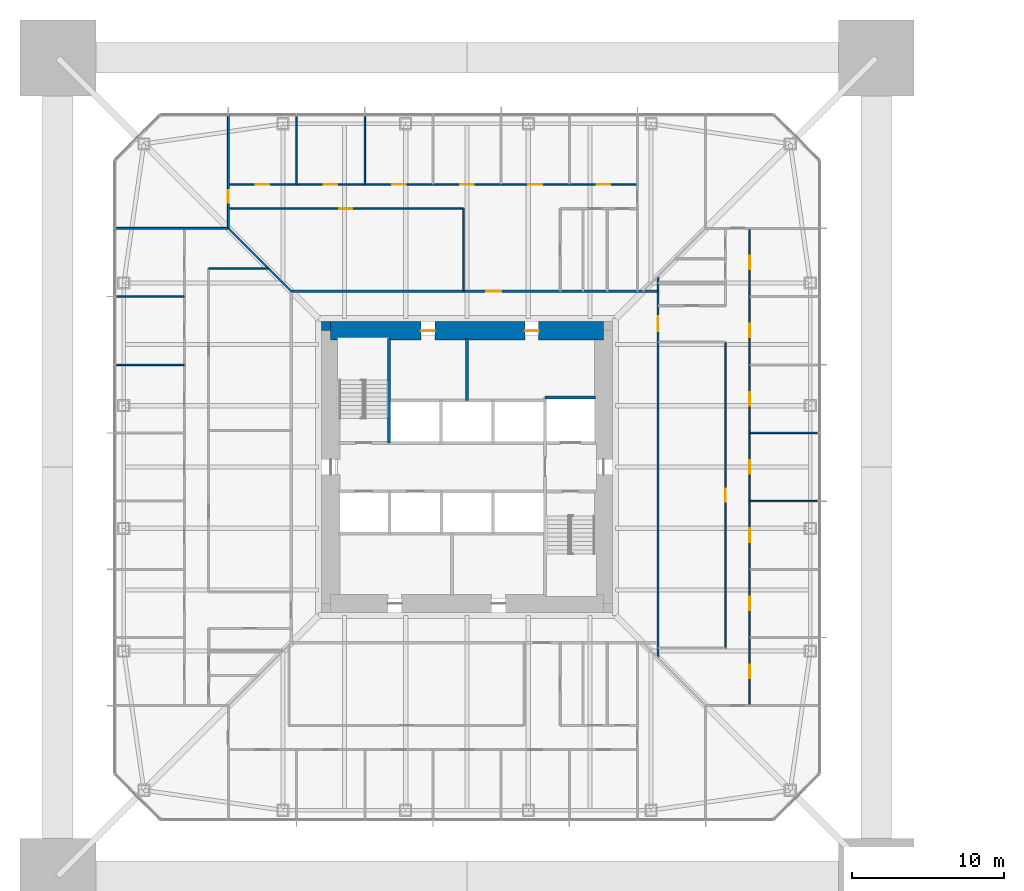
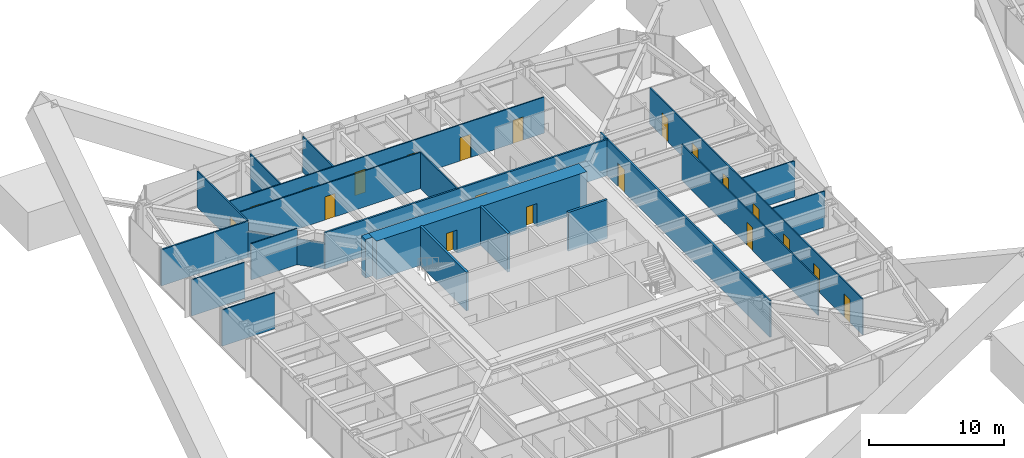
# One storey, part 17 of 27: 22 walls, 20 doors, 20 openings.
"""IFC4 building model written with IfcOpenShell, lengths in metres."""

from ifc_helpers import new_model, si_unit, direction, frame, frame_2d, origin, place, context, subcontext, project, spatial, rectangle, extrude, material, layer, layer_set, type_object, element, fill, save


model = new_model("IFC4")

# Units and contexts
model_context = context("Model", 3, precision=1e-05, world=origin(), true_north=direction((0.0, 1.0)))
body_context = subcontext(model_context, "Body", "Model", "MODEL_VIEW")
ifc_project = project(units=[si_unit("LENGTHUNIT", "METRE"), si_unit("AREAUNIT", "SQUARE_METRE"), si_unit("VOLUMEUNIT", "CUBIC_METRE"), si_unit("PLANEANGLEUNIT", "RADIAN"), si_unit("MASSUNIT", "GRAM", prefix="KILO")], contexts=[model_context])

# Site, building, storey
site_placement = place(None, origin())
site = spatial("IfcSite", under=ifc_project, at=site_placement, CompositionType="ELEMENT")
building_placement = place(site_placement, origin())
building = spatial("IfcBuilding", under=site, at=building_placement, Name="Iwan Alto Co-Living Towers", CompositionType="ELEMENT")
storey_placement = place(building_placement, frame((0.0, 0.0, 25.5)))
storey = spatial("IfcBuildingStorey", under=building, at=storey_placement, Name="L06", CompositionType="ELEMENT", Elevation=25.5)

# Wall, opening, door
ifc_material_1 = material(Name="Gypsum board")
ifc_layer_1 = layer(ifc_material_1, 0.02490234375, Name="Board", Category="Finish")
ifc_material_2 = material(Name="Steel ASTM A1003 ST33H cold-formed studs", Category="steel")
ifc_layer_2 = layer(ifc_material_2, 0.10009765625, Name="Studs", Category="Framing")
ifc_layer_3 = layer(ifc_material_1, 0.02490234375, Name="Board", Category="Finish")
ifc_layer_set_1 = layer_set([ifc_layer_1, ifc_layer_2, ifc_layer_3], Name="CORRIDOR WALL 150")
wall_type_1 = type_object("IfcWallType", Name="CORRIDOR WALL 150", PredefinedType="PARTITIONING", material=ifc_layer_set_1)
wall_1_placement = place(storey_placement, frame((-11.60009765625, 11.60009765625, 0.0), z_axis=(0.0, 0.0, 1.0), x_axis=(1.0, 0.0, 0.0)))
wall_1 = element("IfcWall", 1, at=wall_1_placement, inside=storey, type_object=wall_type_1, Name="Partition L06", PredefinedType="PARTITIONING", context=body_context, shape_type="SweptSolid", body=[
    extrude(rectangle(XDim=24.2001953125, YDim=0.14990234375, at=frame_2d((12.10009765625, 0.0))), origin(), (0.0, 0.0, 1.0), 3.27001953125),
])
opening_1_placement = place(wall_1_placement, frame((12.85498046875, 0.0, 0.0)))
opening_1 = element("IfcOpeningElement", 2, at=opening_1_placement, cuts=wall_1, Name="Opening D3", PredefinedType="OPENING", context=body_context, shape_type="SweptSolid", body=[
    extrude(rectangle(XDim=1.0, YDim=2.10009765625, at=frame_2d((0.5, 1.050048828125))), frame((0.0, 0.0849609375, 0.0), z_axis=(0.0, -1.0, 0.0), x_axis=(1.0, 0.0, 0.0)), (0.0, 0.0, 1.0), 0.169921875),
])
ifc_material_3 = material(Name="Steel frame with timber leaf", Category="steel")
door_type_1 = type_object("IfcDoorType", Name="FLAT ENTRANCE DOOR FD30S 1000X2100", OperationType="SINGLE_SWING_LEFT", PredefinedType="DOOR", material=ifc_material_3)
door_1_placement = place(opening_1_placement, origin())
door_1 = element("IfcDoor", 3, at=door_1_placement, inside=storey, type_object=door_type_1, Name="Cluster lounge and shared kitchen door L06", OperationType="SINGLE_SWING_LEFT", OverallHeight=2.10009765625, OverallWidth=1.0, PredefinedType="DOOR", context=body_context, shape_type="SweptSolid", body=[
    extrude(rectangle(XDim=1.0, YDim=2.10009765625, at=frame_2d((0.5, 1.050048828125))), frame((0.0, 0.02490234375, 0.0), z_axis=(0.0, -1.0, 0.0), x_axis=(1.0, 0.0, 0.0)), (0.0, 0.0, 1.0), 0.050048828125),
])
fill(opening_1, door_1)

wall_2_placement = place(storey_placement, frame((12.60009765625, -12.60009765625, 0.0), z_axis=(0.0, 0.0, 1.0), x_axis=(0.0, 1.0, 0.0)))
wall_2 = element("IfcWall", 4, at=wall_2_placement, inside=storey, type_object=wall_type_1, Name="Partition L06", PredefinedType="PARTITIONING", context=body_context, shape_type="SweptSolid", body=[
    extrude(rectangle(XDim=25.2001953125, YDim=0.14990234375, at=frame_2d((12.60009765625, 0.0))), origin(), (0.0, 0.0, 1.0), 3.27001953125),
])
opening_2_placement = place(wall_2_placement, frame((21.550048828125, 0.0, 0.0)))
opening_2 = element("IfcOpeningElement", 5, at=opening_2_placement, cuts=wall_2, Name="Opening D3", PredefinedType="OPENING", context=body_context, shape_type="SweptSolid", body=[
    extrude(rectangle(XDim=1.0, YDim=2.10009765625, at=frame_2d((0.5, 1.050048828125))), frame((0.0, 0.0849609375, 0.0), z_axis=(0.0, -1.0, 0.0), x_axis=(1.0, 0.0, 0.0)), (0.0, 0.0, 1.0), 0.169921875),
])
door_2_placement = place(opening_2_placement, frame((1.0, 0.0, 0.0), z_axis=(0.0, 0.0, 1.0), x_axis=(-1.0, 0.0, 0.0)))
door_2 = element("IfcDoor", 6, at=door_2_placement, inside=storey, type_object=door_type_1, Name="Cluster lounge door L06", OperationType="SINGLE_SWING_RIGHT", OverallHeight=2.10009765625, OverallWidth=1.0, PredefinedType="DOOR", context=body_context, shape_type="SweptSolid", body=[
    extrude(rectangle(XDim=1.0, YDim=2.10009765625, at=frame_2d((0.5, 1.050048828125))), frame((0.0, 0.02490234375, 0.0), z_axis=(0.0, -1.0, 0.0), x_axis=(1.0, 0.0, 0.0)), (0.0, 0.0, 1.0), 0.050048828125),
])
fill(opening_2, door_2)

# Walls
ifc_layer_4 = layer(ifc_material_1, 0.012451171875, Name="Board", Category="Finish")
ifc_layer_5 = layer(ifc_material_2, 0.074951171875, Name="Studs", Category="Framing")
ifc_layer_6 = layer(ifc_material_1, 0.012451171875, Name="Board", Category="Finish")
ifc_layer_set_2 = layer_set([ifc_layer_4, ifc_layer_5, ifc_layer_6], Name="PARTITION 100")
wall_type_2 = type_object("IfcWallType", Name="PARTITION 100", PredefinedType="PARTITIONING", material=ifc_layer_set_2)
for number, where, z_axis, x_axis, name in (
    (7, (18.64990234375, -2.25, 0.0), (0.0, 0.0, 1.0), (1.0, 0.0, 0.0), "Partition L06"),
    (8, (18.64990234375, 2.25, 0.0), (0.0, 0.0, 1.0), (1.0, 0.0, 0.0), "Partition L06"),
    (9, (-23.18994140625, 6.75, 0.0), (0.0, 0.0, 1.0), (1.0, 0.0, 0.0), "Partition L06"),
    (10, (-23.18994140625, 11.25, 0.0), (0.0, 0.0, 1.0), (1.0, 0.0, 0.0), "Partition L06"),
):
    element("IfcWall", number, at=place(storey_placement, frame(where, z_axis=z_axis, x_axis=x_axis)), inside=storey, type_object=wall_type_2, Name=name, PredefinedType="PARTITIONING", context=body_context, shape_type="SweptSolid", body=[
        extrude(rectangle(XDim=4.5400390625, YDim=0.10009765625, at=frame_2d((2.27001953125, 0.0))), origin(), (0.0, 0.0, 1.0), 3.27001953125),
    ])
wall_3_placement = place(storey_placement, frame((-17.050048828125, 13.090087890625, 0.0), z_axis=(0.0, 0.0, 1.0), x_axis=(1.0, 0.0, 0.0)))
element("IfcWall", 11, at=wall_3_placement, inside=storey, type_object=wall_type_2, Name="Partition L06", PredefinedType="PARTITIONING", context=body_context, shape_type="SweptSolid", body=[
    extrude(rectangle(XDim=3.9599609375, YDim=0.10009765625, at=frame_2d((1.97998046875, 0.0))), origin(), (0.0, 0.0, 1.0), 3.27001953125),
])

# Wall, opening, door
wall_4_placement = place(storey_placement, frame((-15.75, 17.050048828125, 0.0), z_axis=(0.0, 0.0, 1.0), x_axis=(1.0, 0.0, 0.0)))
wall_4 = element("IfcWall", 12, at=wall_4_placement, inside=storey, type_object=wall_type_2, Name="Partition L06", PredefinedType="PARTITIONING", context=body_context, shape_type="SweptSolid", body=[
    extrude(rectangle(XDim=15.510009765625, YDim=0.10009765625, at=frame_2d((7.7548828125, 0.0))), origin(), (0.0, 0.0, 1.0), 3.27001953125),
])
opening_3_placement = place(wall_4_placement, frame((7.330078125, 0.0, 0.0)))
opening_3 = element("IfcOpeningElement", 13, at=opening_3_placement, cuts=wall_4, Name="Opening D2", PredefinedType="OPENING", context=body_context, shape_type="SweptSolid", body=[
    extrude(rectangle(XDim=0.85009765625, YDim=2.10009765625, at=frame_2d((0.425048828125, 1.050048828125))), frame((0.0, 0.06005859375, 0.0), z_axis=(0.0, -1.0, 0.0), x_axis=(1.0, 0.0, 0.0)), (0.0, 0.0, 1.0), 0.1201171875),
])
ifc_material_4 = material(Name="Timber leaf in steel frame", Category="steel")
door_type_2 = type_object("IfcDoorType", Name="ROOM DOOR 850X2100", OperationType="SINGLE_SWING_LEFT", PredefinedType="DOOR", material=ifc_material_4)
door_3_placement = place(opening_3_placement, origin())
door_3 = element("IfcDoor", 14, at=door_3_placement, inside=storey, type_object=door_type_2, Name="Study lounge door L06", OperationType="SINGLE_SWING_LEFT", OverallHeight=2.10009765625, OverallWidth=0.85009765625, PredefinedType="DOOR", context=body_context, shape_type="SweptSolid", body=[
    extrude(rectangle(XDim=0.85009765625, YDim=2.10009765625, at=frame_2d((0.425048828125, 1.050048828125))), frame((0.0, 0.02490234375, 0.0), z_axis=(0.0, -1.0, 0.0), x_axis=(1.0, 0.0, 0.0)), (0.0, 0.0, 1.0), 0.050048828125),
])
fill(opening_3, door_3)

# Wall, openings, doors
wall_5_placement = place(storey_placement, frame((-15.75, 18.64990234375, 0.0), z_axis=(0.0, 0.0, 1.0), x_axis=(1.0, 0.0, 0.0)))
wall_5 = element("IfcWall", 15, at=wall_5_placement, inside=storey, type_object=wall_type_2, Name="Partition L06", PredefinedType="PARTITIONING", context=body_context, shape_type="SweptSolid", body=[
    extrude(rectangle(XDim=27.0, YDim=0.10009765625, at=frame_2d((13.5, 0.0))), origin(), (0.0, 0.0, 1.0), 3.27001953125),
])
opening_4_placement = place(wall_5_placement, frame((24.300048828125, 0.0, 0.0)))
opening_4 = element("IfcOpeningElement", 16, at=opening_4_placement, cuts=wall_5, Name="Opening D1", PredefinedType="OPENING", context=body_context, shape_type="SweptSolid", body=[
    extrude(rectangle(XDim=0.89990234375, YDim=2.10009765625, at=frame_2d((0.449951171875, 1.050048828125))), frame((0.0, 0.06005859375, 0.0), z_axis=(0.0, -1.0, 0.0), x_axis=(1.0, 0.0, 0.0)), (0.0, 0.0, 1.0), 0.1201171875),
])
opening_5_placement = place(wall_5_placement, frame((19.800048828125, 0.0, 0.0)))
opening_5 = element("IfcOpeningElement", 17, at=opening_5_placement, cuts=wall_5, Name="Opening D1", PredefinedType="OPENING", context=body_context, shape_type="SweptSolid", body=[
    extrude(rectangle(XDim=0.89990234375, YDim=2.10009765625, at=frame_2d((0.449951171875, 1.050048828125))), frame((0.0, 0.06005859375, 0.0), z_axis=(0.0, -1.0, 0.0), x_axis=(1.0, 0.0, 0.0)), (0.0, 0.0, 1.0), 0.1201171875),
])
opening_6_placement = place(wall_5_placement, frame((15.300048828125, 0.0, 0.0)))
opening_6 = element("IfcOpeningElement", 18, at=opening_6_placement, cuts=wall_5, Name="Opening D1", PredefinedType="OPENING", context=body_context, shape_type="SweptSolid", body=[
    extrude(rectangle(XDim=0.89990234375, YDim=2.10009765625, at=frame_2d((0.449951171875, 1.050048828125))), frame((0.0, 0.06005859375, 0.0), z_axis=(0.0, -1.0, 0.0), x_axis=(1.0, 0.0, 0.0)), (0.0, 0.0, 1.0), 0.1201171875),
])
opening_7_placement = place(wall_5_placement, frame((10.800048828125, 0.0, 0.0)))
opening_7 = element("IfcOpeningElement", 19, at=opening_7_placement, cuts=wall_5, Name="Opening D1", PredefinedType="OPENING", context=body_context, shape_type="SweptSolid", body=[
    extrude(rectangle(XDim=0.89990234375, YDim=2.10009765625, at=frame_2d((0.449951171875, 1.050048828125))), frame((0.0, 0.06005859375, 0.0), z_axis=(0.0, -1.0, 0.0), x_axis=(1.0, 0.0, 0.0)), (0.0, 0.0, 1.0), 0.1201171875),
])
opening_8_placement = place(wall_5_placement, frame((6.300048828125, 0.0, 0.0)))
opening_8 = element("IfcOpeningElement", 20, at=opening_8_placement, cuts=wall_5, Name="Opening D1", PredefinedType="OPENING", context=body_context, shape_type="SweptSolid", body=[
    extrude(rectangle(XDim=0.89990234375, YDim=2.10009765625, at=frame_2d((0.449951171875, 1.050048828125))), frame((0.0, 0.06005859375, 0.0), z_axis=(0.0, -1.0, 0.0), x_axis=(1.0, 0.0, 0.0)), (0.0, 0.0, 1.0), 0.1201171875),
])
opening_9_placement = place(wall_5_placement, frame((1.800048828125, 0.0, 0.0)))
opening_9 = element("IfcOpeningElement", 21, at=opening_9_placement, cuts=wall_5, Name="Opening D1", PredefinedType="OPENING", context=body_context, shape_type="SweptSolid", body=[
    extrude(rectangle(XDim=0.89990234375, YDim=2.10009765625, at=frame_2d((0.449951171875, 1.050048828125))), frame((0.0, 0.06005859375, 0.0), z_axis=(0.0, -1.0, 0.0), x_axis=(1.0, 0.0, 0.0)), (0.0, 0.0, 1.0), 0.1201171875),
])
ifc_material_5 = material(Name="Timber leaf in steel frame", Category="steel")
door_type_3 = type_object("IfcDoorType", Name="BEDROOM DOOR 900X2100", OperationType="SINGLE_SWING_LEFT", PredefinedType="DOOR", material=ifc_material_5)
door_4_placement = place(opening_4_placement, frame((0.89990234375, 0.0, 0.0), z_axis=(0.0, 0.0, 1.0), x_axis=(-1.0, 0.0, 0.0)))
door_4 = element("IfcDoor", 22, at=door_4_placement, inside=storey, type_object=door_type_3, Name="Study bedroom door L06", OperationType="SINGLE_SWING_LEFT", OverallHeight=2.10009765625, OverallWidth=0.89990234375, PredefinedType="DOOR", context=body_context, shape_type="SweptSolid", body=[
    extrude(rectangle(XDim=0.89990234375, YDim=2.10009765625, at=frame_2d((0.449951171875, 1.050048828125))), frame((0.0, 0.02490234375, 0.0), z_axis=(0.0, -1.0, 0.0), x_axis=(1.0, 0.0, 0.0)), (0.0, 0.0, 1.0), 0.050048828125),
])
fill(opening_4, door_4)
door_5_placement = place(opening_5_placement, frame((0.89990234375, 0.0, 0.0), z_axis=(0.0, 0.0, 1.0), x_axis=(-1.0, 0.0, 0.0)))
door_5 = element("IfcDoor", 23, at=door_5_placement, inside=storey, type_object=door_type_3, Name="Study bedroom door L06", OperationType="SINGLE_SWING_LEFT", OverallHeight=2.10009765625, OverallWidth=0.89990234375, PredefinedType="DOOR", context=body_context, shape_type="SweptSolid", body=[
    extrude(rectangle(XDim=0.89990234375, YDim=2.10009765625, at=frame_2d((0.449951171875, 1.050048828125))), frame((0.0, 0.02490234375, 0.0), z_axis=(0.0, -1.0, 0.0), x_axis=(1.0, 0.0, 0.0)), (0.0, 0.0, 1.0), 0.050048828125),
])
fill(opening_5, door_5)
door_6_placement = place(opening_6_placement, frame((0.89990234375, 0.0, 0.0), z_axis=(0.0, 0.0, 1.0), x_axis=(-1.0, 0.0, 0.0)))
door_6 = element("IfcDoor", 24, at=door_6_placement, inside=storey, type_object=door_type_3, Name="Study bedroom door L06", OperationType="SINGLE_SWING_LEFT", OverallHeight=2.10009765625, OverallWidth=0.89990234375, PredefinedType="DOOR", context=body_context, shape_type="SweptSolid", body=[
    extrude(rectangle(XDim=0.89990234375, YDim=2.10009765625, at=frame_2d((0.449951171875, 1.050048828125))), frame((0.0, 0.02490234375, 0.0), z_axis=(0.0, -1.0, 0.0), x_axis=(1.0, 0.0, 0.0)), (0.0, 0.0, 1.0), 0.050048828125),
])
fill(opening_6, door_6)
door_7_placement = place(opening_7_placement, frame((0.89990234375, 0.0, 0.0), z_axis=(0.0, 0.0, 1.0), x_axis=(-1.0, 0.0, 0.0)))
door_7 = element("IfcDoor", 25, at=door_7_placement, inside=storey, type_object=door_type_3, Name="Study bedroom door L06", OperationType="SINGLE_SWING_RIGHT", OverallHeight=2.10009765625, OverallWidth=0.89990234375, PredefinedType="DOOR", context=body_context, shape_type="SweptSolid", body=[
    extrude(rectangle(XDim=0.89990234375, YDim=2.10009765625, at=frame_2d((0.449951171875, 1.050048828125))), frame((0.0, 0.02490234375, 0.0), z_axis=(0.0, -1.0, 0.0), x_axis=(1.0, 0.0, 0.0)), (0.0, 0.0, 1.0), 0.050048828125),
])
fill(opening_7, door_7)
door_8_placement = place(opening_8_placement, frame((0.89990234375, 0.0, 0.0), z_axis=(0.0, 0.0, 1.0), x_axis=(-1.0, 0.0, 0.0)))
door_8 = element("IfcDoor", 26, at=door_8_placement, inside=storey, type_object=door_type_3, Name="Study bedroom door L06", OperationType="SINGLE_SWING_RIGHT", OverallHeight=2.10009765625, OverallWidth=0.89990234375, PredefinedType="DOOR", context=body_context, shape_type="SweptSolid", body=[
    extrude(rectangle(XDim=0.89990234375, YDim=2.10009765625, at=frame_2d((0.449951171875, 1.050048828125))), frame((0.0, 0.02490234375, 0.0), z_axis=(0.0, -1.0, 0.0), x_axis=(1.0, 0.0, 0.0)), (0.0, 0.0, 1.0), 0.050048828125),
])
fill(opening_8, door_8)
door_9_placement = place(opening_9_placement, frame((0.89990234375, 0.0, 0.0), z_axis=(0.0, 0.0, 1.0), x_axis=(-1.0, 0.0, 0.0)))
door_9 = element("IfcDoor", 27, at=door_9_placement, inside=storey, type_object=door_type_3, Name="Study bedroom door L06", OperationType="SINGLE_SWING_RIGHT", OverallHeight=2.10009765625, OverallWidth=0.89990234375, PredefinedType="DOOR", context=body_context, shape_type="SweptSolid", body=[
    extrude(rectangle(XDim=0.89990234375, YDim=2.10009765625, at=frame_2d((0.449951171875, 1.050048828125))), frame((0.0, 0.02490234375, 0.0), z_axis=(0.0, -1.0, 0.0), x_axis=(1.0, 0.0, 0.0)), (0.0, 0.0, 1.0), 0.050048828125),
])
fill(opening_9, door_9)

wall_6_placement = place(storey_placement, frame((18.64990234375, -15.75, 0.0), z_axis=(0.0, 0.0, 1.0), x_axis=(0.0, 1.0, 0.0)))
wall_6 = element("IfcWall", 28, at=wall_6_placement, inside=storey, type_object=wall_type_2, Name="Partition L06", PredefinedType="PARTITIONING", context=body_context, shape_type="SweptSolid", body=[
    extrude(rectangle(XDim=31.5, YDim=0.10009765625, at=frame_2d((15.75, 0.0))), origin(), (0.0, 0.0, 1.0), 3.27001953125),
])
opening_10_placement = place(wall_6_placement, frame((1.800048828125, 0.0, 0.0)))
opening_10 = element("IfcOpeningElement", 29, at=opening_10_placement, cuts=wall_6, Name="Opening D1", PredefinedType="OPENING", context=body_context, shape_type="SweptSolid", body=[
    extrude(rectangle(XDim=0.89990234375, YDim=2.10009765625, at=frame_2d((0.449951171875, 1.050048828125))), frame((0.0, 0.06005859375, 0.0), z_axis=(0.0, -1.0, 0.0), x_axis=(1.0, 0.0, 0.0)), (0.0, 0.0, 1.0), 0.1201171875),
])
opening_11_placement = place(wall_6_placement, frame((6.300048828125, 0.0, 0.0)))
opening_11 = element("IfcOpeningElement", 30, at=opening_11_placement, cuts=wall_6, Name="Opening D1", PredefinedType="OPENING", context=body_context, shape_type="SweptSolid", body=[
    extrude(rectangle(XDim=0.89990234375, YDim=2.10009765625, at=frame_2d((0.449951171875, 1.050048828125))), frame((0.0, 0.06005859375, 0.0), z_axis=(0.0, -1.0, 0.0), x_axis=(1.0, 0.0, 0.0)), (0.0, 0.0, 1.0), 0.1201171875),
])
opening_12_placement = place(wall_6_placement, frame((10.800048828125, 0.0, 0.0)))
opening_12 = element("IfcOpeningElement", 31, at=opening_12_placement, cuts=wall_6, Name="Opening D1", PredefinedType="OPENING", context=body_context, shape_type="SweptSolid", body=[
    extrude(rectangle(XDim=0.89990234375, YDim=2.10009765625, at=frame_2d((0.449951171875, 1.050048828125))), frame((0.0, 0.06005859375, 0.0), z_axis=(0.0, -1.0, 0.0), x_axis=(1.0, 0.0, 0.0)), (0.0, 0.0, 1.0), 0.1201171875),
])
opening_13_placement = place(wall_6_placement, frame((15.300048828125, 0.0, 0.0)))
opening_13 = element("IfcOpeningElement", 32, at=opening_13_placement, cuts=wall_6, Name="Opening D1", PredefinedType="OPENING", context=body_context, shape_type="SweptSolid", body=[
    extrude(rectangle(XDim=0.89990234375, YDim=2.10009765625, at=frame_2d((0.449951171875, 1.050048828125))), frame((0.0, 0.06005859375, 0.0), z_axis=(0.0, -1.0, 0.0), x_axis=(1.0, 0.0, 0.0)), (0.0, 0.0, 1.0), 0.1201171875),
])
opening_14_placement = place(wall_6_placement, frame((19.800048828125, 0.0, 0.0)))
opening_14 = element("IfcOpeningElement", 33, at=opening_14_placement, cuts=wall_6, Name="Opening D1", PredefinedType="OPENING", context=body_context, shape_type="SweptSolid", body=[
    extrude(rectangle(XDim=0.89990234375, YDim=2.10009765625, at=frame_2d((0.449951171875, 1.050048828125))), frame((0.0, 0.06005859375, 0.0), z_axis=(0.0, -1.0, 0.0), x_axis=(1.0, 0.0, 0.0)), (0.0, 0.0, 1.0), 0.1201171875),
])
opening_15_placement = place(wall_6_placement, frame((24.300048828125, 0.0, 0.0)))
opening_15 = element("IfcOpeningElement", 34, at=opening_15_placement, cuts=wall_6, Name="Opening D1", PredefinedType="OPENING", context=body_context, shape_type="SweptSolid", body=[
    extrude(rectangle(XDim=0.89990234375, YDim=2.10009765625, at=frame_2d((0.449951171875, 1.050048828125))), frame((0.0, 0.06005859375, 0.0), z_axis=(0.0, -1.0, 0.0), x_axis=(1.0, 0.0, 0.0)), (0.0, 0.0, 1.0), 0.1201171875),
])
opening_16_placement = place(wall_6_placement, frame((28.800048828125, 0.0, 0.0)))
opening_16 = element("IfcOpeningElement", 35, at=opening_16_placement, cuts=wall_6, Name="Opening D1", PredefinedType="OPENING", context=body_context, shape_type="SweptSolid", body=[
    extrude(rectangle(XDim=0.89990234375, YDim=2.10009765625, at=frame_2d((0.449951171875, 1.050048828125))), frame((0.0, 0.06005859375, 0.0), z_axis=(0.0, -1.0, 0.0), x_axis=(1.0, 0.0, 0.0)), (0.0, 0.0, 1.0), 0.1201171875),
])
door_10_placement = place(opening_10_placement, origin())
door_10 = element("IfcDoor", 36, at=door_10_placement, inside=storey, type_object=door_type_3, Name="Study bedroom door L06", OperationType="SINGLE_SWING_LEFT", OverallHeight=2.10009765625, OverallWidth=0.89990234375, PredefinedType="DOOR", context=body_context, shape_type="SweptSolid", body=[
    extrude(rectangle(XDim=0.89990234375, YDim=2.10009765625, at=frame_2d((0.449951171875, 1.050048828125))), frame((0.0, 0.02490234375, 0.0), z_axis=(0.0, -1.0, 0.0), x_axis=(1.0, 0.0, 0.0)), (0.0, 0.0, 1.0), 0.050048828125),
])
fill(opening_10, door_10)
door_11_placement = place(opening_11_placement, origin())
door_11 = element("IfcDoor", 37, at=door_11_placement, inside=storey, type_object=door_type_3, Name="Study bedroom door L06", OperationType="SINGLE_SWING_LEFT", OverallHeight=2.10009765625, OverallWidth=0.89990234375, PredefinedType="DOOR", context=body_context, shape_type="SweptSolid", body=[
    extrude(rectangle(XDim=0.89990234375, YDim=2.10009765625, at=frame_2d((0.449951171875, 1.050048828125))), frame((0.0, 0.02490234375, 0.0), z_axis=(0.0, -1.0, 0.0), x_axis=(1.0, 0.0, 0.0)), (0.0, 0.0, 1.0), 0.050048828125),
])
fill(opening_11, door_11)
door_12_placement = place(opening_12_placement, origin())
door_12 = element("IfcDoor", 38, at=door_12_placement, inside=storey, type_object=door_type_3, Name="Study bedroom door L06", OperationType="SINGLE_SWING_LEFT", OverallHeight=2.10009765625, OverallWidth=0.89990234375, PredefinedType="DOOR", context=body_context, shape_type="SweptSolid", body=[
    extrude(rectangle(XDim=0.89990234375, YDim=2.10009765625, at=frame_2d((0.449951171875, 1.050048828125))), frame((0.0, 0.02490234375, 0.0), z_axis=(0.0, -1.0, 0.0), x_axis=(1.0, 0.0, 0.0)), (0.0, 0.0, 1.0), 0.050048828125),
])
fill(opening_12, door_12)
door_13_placement = place(opening_13_placement, origin())
door_13 = element("IfcDoor", 39, at=door_13_placement, inside=storey, type_object=door_type_3, Name="Study bedroom door L06", OperationType="SINGLE_SWING_LEFT", OverallHeight=2.10009765625, OverallWidth=0.89990234375, PredefinedType="DOOR", context=body_context, shape_type="SweptSolid", body=[
    extrude(rectangle(XDim=0.89990234375, YDim=2.10009765625, at=frame_2d((0.449951171875, 1.050048828125))), frame((0.0, 0.02490234375, 0.0), z_axis=(0.0, -1.0, 0.0), x_axis=(1.0, 0.0, 0.0)), (0.0, 0.0, 1.0), 0.050048828125),
])
fill(opening_13, door_13)
door_14_placement = place(opening_14_placement, origin())
door_14 = element("IfcDoor", 40, at=door_14_placement, inside=storey, type_object=door_type_3, Name="Study bedroom door L06", OperationType="SINGLE_SWING_RIGHT", OverallHeight=2.10009765625, OverallWidth=0.89990234375, PredefinedType="DOOR", context=body_context, shape_type="SweptSolid", body=[
    extrude(rectangle(XDim=0.89990234375, YDim=2.10009765625, at=frame_2d((0.449951171875, 1.050048828125))), frame((0.0, 0.02490234375, 0.0), z_axis=(0.0, -1.0, 0.0), x_axis=(1.0, 0.0, 0.0)), (0.0, 0.0, 1.0), 0.050048828125),
])
fill(opening_14, door_14)
door_15_placement = place(opening_15_placement, origin())
door_15 = element("IfcDoor", 41, at=door_15_placement, inside=storey, type_object=door_type_3, Name="Study bedroom door L06", OperationType="SINGLE_SWING_RIGHT", OverallHeight=2.10009765625, OverallWidth=0.89990234375, PredefinedType="DOOR", context=body_context, shape_type="SweptSolid", body=[
    extrude(rectangle(XDim=0.89990234375, YDim=2.10009765625, at=frame_2d((0.449951171875, 1.050048828125))), frame((0.0, 0.02490234375, 0.0), z_axis=(0.0, -1.0, 0.0), x_axis=(1.0, 0.0, 0.0)), (0.0, 0.0, 1.0), 0.050048828125),
])
fill(opening_15, door_15)
door_16_placement = place(opening_16_placement, origin())
door_16 = element("IfcDoor", 42, at=door_16_placement, inside=storey, type_object=door_type_3, Name="Study bedroom door L06", OperationType="SINGLE_SWING_RIGHT", OverallHeight=2.10009765625, OverallWidth=0.89990234375, PredefinedType="DOOR", context=body_context, shape_type="SweptSolid", body=[
    extrude(rectangle(XDim=0.89990234375, YDim=2.10009765625, at=frame_2d((0.449951171875, 1.050048828125))), frame((0.0, 0.02490234375, 0.0), z_axis=(0.0, -1.0, 0.0), x_axis=(1.0, 0.0, 0.0)), (0.0, 0.0, 1.0), 0.050048828125),
])
fill(opening_16, door_16)

# Wall, opening, door
wall_7_placement = place(storey_placement, frame((17.050048828125, -11.949951171875, 0.0), z_axis=(0.0, 0.0, 1.0), x_axis=(0.0, 1.0, 0.0)))
wall_7 = element("IfcWall", 43, at=wall_7_placement, inside=storey, type_object=wall_type_2, Name="Partition L06", PredefinedType="PARTITIONING", context=body_context, shape_type="SweptSolid", body=[
    extrude(rectangle(XDim=20.199951171875, YDim=0.10009765625, at=frame_2d((10.10009765625, 0.0))), origin(), (0.0, 0.0, 1.0), 3.27001953125),
])
opening_17_placement = place(wall_7_placement, frame((9.675048828125, 0.0, 0.0)))
opening_17 = element("IfcOpeningElement", 44, at=opening_17_placement, cuts=wall_7, Name="Opening D2", PredefinedType="OPENING", context=body_context, shape_type="SweptSolid", body=[
    extrude(rectangle(XDim=0.85009765625, YDim=2.10009765625, at=frame_2d((0.425048828125, 1.050048828125))), frame((0.0, 0.06005859375, 0.0), z_axis=(0.0, -1.0, 0.0), x_axis=(1.0, 0.0, 0.0)), (0.0, 0.0, 1.0), 0.1201171875),
])
door_17_placement = place(opening_17_placement, origin())
door_17 = element("IfcDoor", 45, at=door_17_placement, inside=storey, type_object=door_type_2, Name="Study lounge door L06", OperationType="SINGLE_SWING_LEFT", OverallHeight=2.10009765625, OverallWidth=0.85009765625, PredefinedType="DOOR", context=body_context, shape_type="SweptSolid", body=[
    extrude(rectangle(XDim=0.85009765625, YDim=2.10009765625, at=frame_2d((0.425048828125, 1.050048828125))), frame((0.0, 0.02490234375, 0.0), z_axis=(0.0, -1.0, 0.0), x_axis=(1.0, 0.0, 0.0)), (0.0, 0.0, 1.0), 0.050048828125),
])
fill(opening_17, door_17)

# Walls
wall_8_placement = place(storey_placement, frame((-0.239990234375, 11.60009765625, 0.0), z_axis=(0.0, 0.0, 1.0), x_axis=(0.0, 1.0, 0.0)))
element("IfcWall", 46, at=wall_8_placement, inside=storey, type_object=wall_type_2, Name="Partition L06", PredefinedType="PARTITIONING", context=body_context, shape_type="SweptSolid", body=[
    extrude(rectangle(XDim=5.449951171875, YDim=0.10009765625, at=frame_2d((2.72509765625, 0.0))), origin(), (0.0, 0.0, 1.0), 3.27001953125),
])
for number, where, z_axis, x_axis, name in (
    (47, (-6.75, 18.64990234375, 0.0), (0.0, 0.0, 1.0), (0.0, 1.0, 0.0), "Partition L06"),
    (48, (-11.25, 18.64990234375, 0.0), (0.0, 0.0, 1.0), (0.0, 1.0, 0.0), "Partition L06"),
):
    element("IfcWall", number, at=place(storey_placement, frame(where, z_axis=z_axis, x_axis=x_axis)), inside=storey, type_object=wall_type_2, Name=name, PredefinedType="PARTITIONING", context=body_context, shape_type="SweptSolid", body=[
        extrude(rectangle(XDim=4.5400390625, YDim=0.10009765625, at=frame_2d((2.27001953125, 0.0))), origin(), (0.0, 0.0, 1.0), 3.27001953125),
    ])
wall_9_placement = place(storey_placement, frame((-11.60009765625, 11.60009765625, 0.0), z_axis=(0.0, 0.0, 1.0), x_axis=(-0.707106781187, 0.707106781187, 0.0)))
element("IfcWall", 49, at=wall_9_placement, inside=storey, type_object=wall_type_2, Name="Partition L06", PredefinedType="PARTITIONING", context=body_context, shape_type="SweptSolid", body=[
    extrude(rectangle(XDim=5.868896484375, YDim=0.10009765625, at=frame_2d((2.9345703125, 0.0))), origin(), (0.0, 0.0, 1.0), 2.343017578125),
])
ifc_material_6 = material(Name="Concrete f'c 70 MPa", Category="concrete")
ifc_layer_7 = layer(ifc_material_6, 0.199951171875)
ifc_layer_set_3 = layer_set([ifc_layer_7], Name="SHAFT WALL 200")
wall_type_3 = type_object("IfcWallType", Name="SHAFT WALL 200", PredefinedType="SOLIDWALL", material=ifc_layer_set_3)
wall_10_placement = place(storey_placement, frame((5.14990234375, 4.60009765625, 0.0), z_axis=(0.0, 0.0, 1.0), x_axis=(1.0, 0.0, 0.0)))
element("IfcWall", 50, at=wall_10_placement, inside=storey, type_object=wall_type_3, Name="Shaft wall L06", PredefinedType="SOLIDWALL", context=body_context, shape_type="SweptSolid", body=[
    extrude(rectangle(XDim=3.340087890625, YDim=0.199951171875, at=frame_2d((1.669921875, 0.0))), origin(), (0.0, 0.0, 1.0), 3.5),
])
wall_11_placement = place(storey_placement, frame((0.0, 4.39990234375, 0.0), z_axis=(0.0, 0.0, 1.0), x_axis=(0.0, 1.0, 0.0)))
element("IfcWall", 51, at=wall_11_placement, inside=storey, type_object=wall_type_3, Name="Shaft wall L06", PredefinedType="SOLIDWALL", context=body_context, shape_type="SweptSolid", body=[
    extrude(rectangle(XDim=4.090087890625, YDim=0.199951171875, at=frame_2d((2.044921875, 0.0))), origin(), (0.0, 0.0, 1.0), 3.5),
])
wall_12_placement = place(storey_placement, frame((-5.14990234375, 1.60009765625, 0.0), z_axis=(0.0, 0.0, 1.0), x_axis=(0.0, 1.0, 0.0)))
element("IfcWall", 52, at=wall_12_placement, inside=storey, type_object=wall_type_3, Name="Shaft wall L06", PredefinedType="SOLIDWALL", context=body_context, shape_type="SweptSolid", body=[
    extrude(rectangle(XDim=6.889892578125, YDim=0.199951171875, at=frame_2d((3.44482421875, 0.0))), origin(), (0.0, 0.0, 1.0), 3.5),
])
ifc_material_7 = material(Name="Concrete f'c 70 MPa", Category="concrete")
ifc_layer_8 = layer(ifc_material_7, 0.60009765625)
ifc_layer_set_4 = layer_set([ifc_layer_8], Name="T1 CORE CORNER FILL 600")
wall_type_4 = type_object("IfcWallType", Name="T1 CORE CORNER FILL 600", PredefinedType="SOLIDWALL", material=ifc_layer_set_4)
wall_13_placement = place(storey_placement, frame((-9.60009765625, 9.300048828125, 0.0), z_axis=(0.0, 0.0, 1.0), x_axis=(1.0, 0.0, 0.0)))
element("IfcWall", 53, at=wall_13_placement, inside=storey, type_object=wall_type_4, Name="T1 core corner NW L06", PredefinedType="SOLIDWALL", context=body_context, shape_type="SweptSolid", body=[
    extrude(rectangle(XDim=0.60009765625, YDim=0.60009765625, at=frame_2d((0.300048828125, 0.0))), origin(), (0.0, 0.0, 1.0), 3.5),
])

# Wall, openings, doors
ifc_material_8 = material(Name="Concrete f'c 70 MPa", Category="concrete")
ifc_layer_9 = layer(ifc_material_8, 1.199951171875)
ifc_layer_set_5 = layer_set([ifc_layer_9], Name="T1 CORE WALL 1200")
wall_type_5 = type_object("IfcWallType", Name="T1 CORE WALL 1200", PredefinedType="SHEAR", material=ifc_layer_set_5)
wall_14_placement = place(storey_placement, frame((9.0, 9.0, 0.0), z_axis=(0.0, 0.0, 1.0), x_axis=(-1.0, 0.0, 0.0)))
wall_14 = element("IfcWall", 54, at=wall_14_placement, inside=storey, type_object=wall_type_5, Name="T1 core wall N L06", PredefinedType="SHEAR", context=body_context, shape_type="SweptSolid", body=[
    extrude(rectangle(XDim=18.0, YDim=1.199951171875, at=frame_2d((9.0, 0.0))), origin(), (0.0, 0.0, 1.0), 3.5),
])
opening_18_placement = place(wall_14_placement, frame((11.125, 0.0, 0.0)))
opening_18 = element("IfcOpeningElement", 55, at=opening_18_placement, cuts=wall_14, Name="Opening D8", PredefinedType="OPENING", context=body_context, shape_type="SweptSolid", body=[
    extrude(rectangle(XDim=0.89990234375, YDim=2.10009765625, at=frame_2d((0.449951171875, 1.050048828125))), frame((0.0, 0.60986328125, 0.0), z_axis=(0.0, -1.0, 0.0), x_axis=(1.0, 0.0, 0.0)), (0.0, 0.0, 1.0), 1.219970703125),
])
opening_19_placement = place(wall_14_placement, frame((4.27490234375, 0.0, 0.0)))
opening_19 = element("IfcOpeningElement", 56, at=opening_19_placement, cuts=wall_14, Name="Opening D8", PredefinedType="OPENING", context=body_context, shape_type="SweptSolid", body=[
    extrude(rectangle(XDim=0.89990234375, YDim=2.10009765625, at=frame_2d((0.449951171875, 1.050048828125))), frame((0.0, 0.60986328125, 0.0), z_axis=(0.0, -1.0, 0.0), x_axis=(1.0, 0.0, 0.0)), (0.0, 0.0, 1.0), 1.219970703125),
])
ifc_material_9 = material(Name="Steel frame with timber leaf", Category="steel")
door_type_4 = type_object("IfcDoorType", Name="RISER DOOR FD120 900X2100", OperationType="SINGLE_SWING_LEFT", PredefinedType="DOOR", material=ifc_material_9)
door_18_placement = place(opening_18_placement, origin())
door_18 = element("IfcDoor", 57, at=door_18_placement, inside=storey, type_object=door_type_4, Name="Electrical riser core door L06", OperationType="SINGLE_SWING_RIGHT", OverallHeight=2.10009765625, OverallWidth=0.89990234375, PredefinedType="DOOR", context=body_context, shape_type="SweptSolid", body=[
    extrude(rectangle(XDim=0.89990234375, YDim=2.10009765625, at=frame_2d((0.449951171875, 1.050048828125))), frame((0.0, 0.02490234375, 0.0), z_axis=(0.0, -1.0, 0.0), x_axis=(1.0, 0.0, 0.0)), (0.0, 0.0, 1.0), 0.050048828125),
])
fill(opening_18, door_18)
door_19_placement = place(opening_19_placement, origin())
door_19 = element("IfcDoor", 58, at=door_19_placement, inside=storey, type_object=door_type_4, Name="Water and drainage riser core door L06", OperationType="SINGLE_SWING_RIGHT", OverallHeight=2.10009765625, OverallWidth=0.89990234375, PredefinedType="DOOR", context=body_context, shape_type="SweptSolid", body=[
    extrude(rectangle(XDim=0.89990234375, YDim=2.10009765625, at=frame_2d((0.449951171875, 1.050048828125))), frame((0.0, 0.02490234375, 0.0), z_axis=(0.0, -1.0, 0.0), x_axis=(1.0, 0.0, 0.0)), (0.0, 0.0, 1.0), 0.050048828125),
])
fill(opening_19, door_19)

# Wall
ifc_material_10 = material(Name="Cement board")
ifc_layer_10 = layer(ifc_material_10, 0.012451171875, Name="Board", Category="Finish")
ifc_layer_11 = layer(ifc_material_2, 0.094970703125, Name="Studs", Category="Framing")
ifc_layer_12 = layer(ifc_material_10, 0.012451171875, Name="Board", Category="Finish")
ifc_layer_set_6 = layer_set([ifc_layer_10, ifc_layer_11, ifc_layer_12], Name="WET AREA PARTITION 120")
wall_type_6 = type_object("IfcWallType", Name="WET AREA PARTITION 120", PredefinedType="PARTITIONING", material=ifc_layer_set_6)
wall_15_placement = place(storey_placement, frame((-23.18994140625, 15.75, 0.0), z_axis=(0.0, 0.0, 1.0), x_axis=(1.0, 0.0, 0.0)))
element("IfcWall", 59, at=wall_15_placement, inside=storey, type_object=wall_type_6, Name="Partition L06", PredefinedType="PARTITIONING", context=body_context, shape_type="SweptSolid", body=[
    extrude(rectangle(XDim=7.43994140625, YDim=0.1201171875, at=frame_2d((3.719970703125, 0.0))), origin(), (0.0, 0.0, 1.0), 3.27001953125),
])

# Wall, opening, door
wall_16_placement = place(storey_placement, frame((-15.75, 15.75, 0.0), z_axis=(0.0, 0.0, 1.0), x_axis=(0.0, 1.0, 0.0)))
wall_16 = element("IfcWall", 60, at=wall_16_placement, inside=storey, type_object=wall_type_6, Name="Partition L06", PredefinedType="PARTITIONING", context=body_context, shape_type="SweptSolid", body=[
    extrude(rectangle(XDim=7.43994140625, YDim=0.1201171875, at=frame_2d((3.719970703125, 0.0))), origin(), (0.0, 0.0, 1.0), 3.27001953125),
])
opening_20_placement = place(wall_16_placement, frame((1.675048828125, 0.0, 0.0)))
opening_20 = element("IfcOpeningElement", 61, at=opening_20_placement, cuts=wall_16, Name="Opening D2", PredefinedType="OPENING", context=body_context, shape_type="SweptSolid", body=[
    extrude(rectangle(XDim=0.85009765625, YDim=2.10009765625, at=frame_2d((0.425048828125, 1.050048828125))), frame((0.0, 0.070068359375, 0.0), z_axis=(0.0, -1.0, 0.0), x_axis=(1.0, 0.0, 0.0)), (0.0, 0.0, 1.0), 0.14013671875),
])
door_20_placement = place(opening_20_placement, frame((0.85009765625, 0.0, 0.0), z_axis=(0.0, 0.0, 1.0), x_axis=(-1.0, 0.0, 0.0)))
door_20 = element("IfcDoor", 62, at=door_20_placement, inside=storey, type_object=door_type_2, Name="Central laundry and drying room door L06", OperationType="SINGLE_SWING_RIGHT", OverallHeight=2.10009765625, OverallWidth=0.85009765625, PredefinedType="DOOR", context=body_context, shape_type="SweptSolid", body=[
    extrude(rectangle(XDim=0.85009765625, YDim=2.10009765625, at=frame_2d((0.425048828125, 1.050048828125))), frame((0.0, 0.02490234375, 0.0), z_axis=(0.0, -1.0, 0.0), x_axis=(1.0, 0.0, 0.0)), (0.0, 0.0, 1.0), 0.050048828125),
])
fill(opening_20, door_20)

save(model, "model.ifc")
